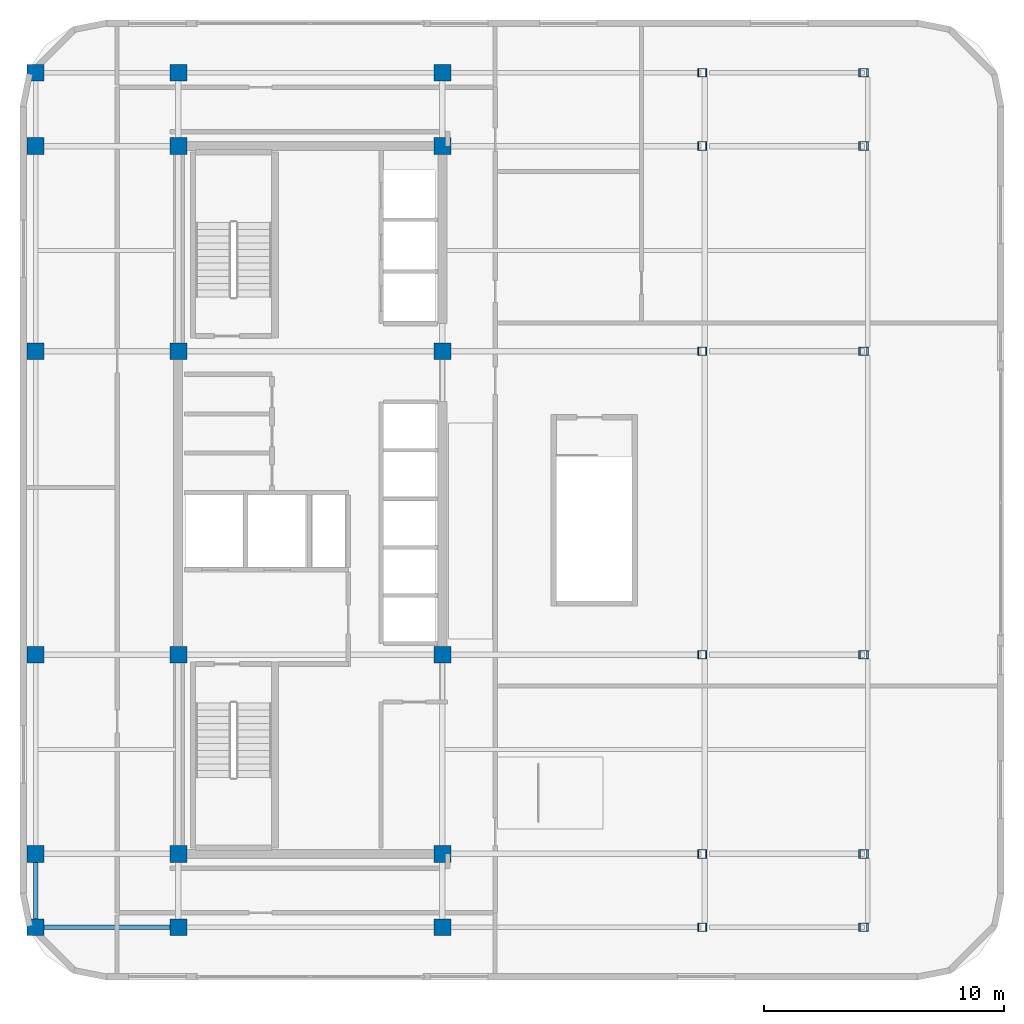
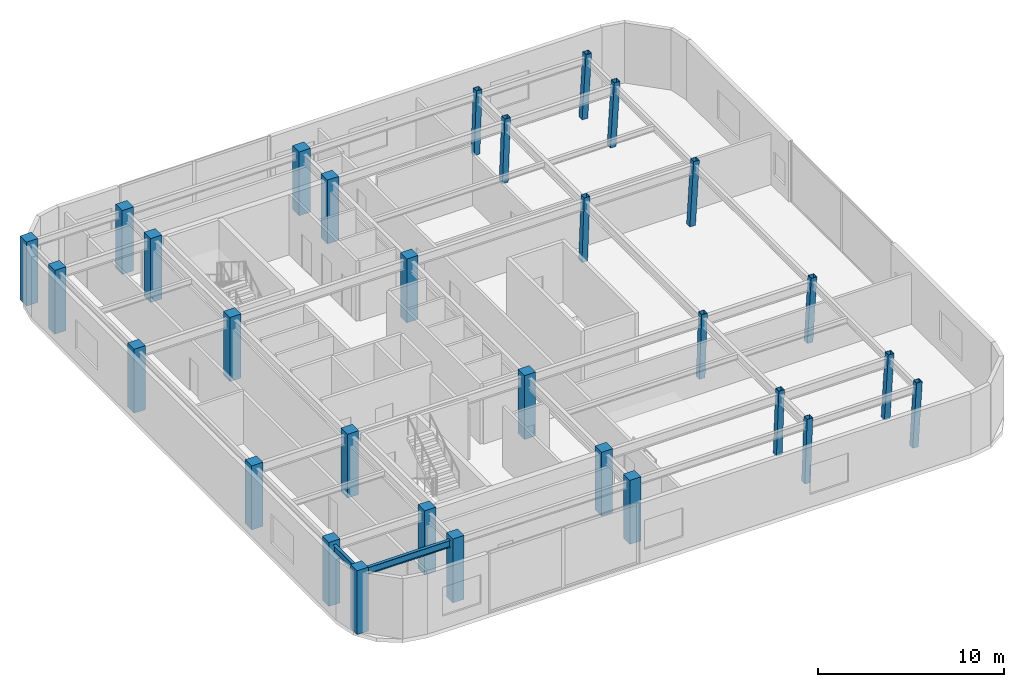
# One storey, part 1 of 10: 30 columns, 2 beams.
"""IFC4 building model written with IfcOpenShell, lengths in metres."""

from ifc_helpers import new_model, si_unit, direction, frame, origin, origin_2d, place, context, subcontext, project, spatial, rectangle, hollow_rectangle, i_section, extrude, material, material_profile, profile_set, type_object, element, save


model = new_model("IFC4")

# Units and contexts
model_context = context("Model", 3, precision=1e-05, world=origin(), true_north=direction((0.0, 1.0)))
body_context = subcontext(model_context, "Body", "Model", "MODEL_VIEW")
ifc_project = project(units=[si_unit("LENGTHUNIT", "METRE"), si_unit("AREAUNIT", "SQUARE_METRE"), si_unit("VOLUMEUNIT", "CUBIC_METRE"), si_unit("PLANEANGLEUNIT", "RADIAN"), si_unit("MASSUNIT", "GRAM", prefix="KILO")], contexts=[model_context])

# Site, building, storey
site_placement = place(None, origin())
site = spatial("IfcSite", under=ifc_project, at=site_placement, CompositionType="ELEMENT")
building_placement = place(site_placement, origin())
building = spatial("IfcBuilding", under=site, at=building_placement, Name="Ochreholt Gables", CompositionType="ELEMENT")
storey_placement = place(building_placement, frame((0.0, 0.0, 173.39990234375)))
storey = spatial("IfcBuildingStorey", under=building, at=storey_placement, Name="L45", CompositionType="ELEMENT", Elevation=173.39990234375)

# Columns
ifc_material_1 = material(Name="Steel CSA G40.21 350W", Category="steel")
ifc_material_profile_1 = material_profile(ifc_material_1, hollow_rectangle(XDim=0.35595703125, YDim=0.35595703125, WallThickness=0.01611328125, at=origin_2d()), Name="HSS356X356X16")
ifc_profile_set_1 = profile_set([ifc_material_profile_1], Name="Steel CSA G40.21 350W")
column_type_1 = type_object("IfcColumnType", Name="COL-HSS356-RAK", PredefinedType="COLUMN", material=ifc_profile_set_1)
for number, where, z_axis, x_axis, name in (
    (1, (46.0048828125, 9.25, 0.0), (0.035028478706, 0.0, 0.999386314535), (0.0, 1.0, 0.0), "L45 Column EMY2"),
    (2, (46.0048828125, 17.550048828125, 0.0), (0.035028478706, 0.0, 0.999386314535), (0.0, 1.0, 0.0), "L45 Column EMY3"),
    (3, (46.0048828125, 30.199951171875, 0.0), (0.035028478706, 0.0, 0.999386314535), (0.0, 1.0, 0.0), "L45 Column EMY4"),
    (4, (46.0048828125, 38.75, 0.0), (0.035028478706, 0.0, 0.999386314535), (0.0, 1.0, 0.0), "L45 Column EMY5"),
):
    element("IfcColumn", number, at=place(storey_placement, frame(where, z_axis=z_axis, x_axis=x_axis)), inside=storey, type_object=column_type_1, Name=name, PredefinedType="COLUMN", context=body_context, shape_type="SweptSolid", body=[
        extrude(hollow_rectangle(XDim=0.35595703125, YDim=0.35595703125, WallThickness=0.01611328125, at=origin_2d()), origin(), (0.0, 0.0, 1.0), 4.202880859375),
    ])
ifc_material_profile_2 = material_profile(ifc_material_1, hollow_rectangle(XDim=0.35595703125, YDim=0.35595703125, WallThickness=0.01611328125, at=origin_2d()), Name="HSS356X356X16")
ifc_profile_set_2 = profile_set([ifc_material_profile_2], Name="Steel CSA G40.21 350W")
column_type_2 = type_object("IfcColumnType", Name="COL-HSS356-RAKE", PredefinedType="COLUMN", material=ifc_profile_set_2)
for number, where, z_axis, x_axis, name in (
    (5, (46.0048828125, 6.199951171875, 0.0), (0.035028478706, 0.0, 0.999386314535), (0.0, 1.0, 0.0), "L45 Column EMY1"),
    (6, (46.0048828125, 41.800048828125, 0.0), (0.035028478706, 0.0, 0.999386314535), (0.0, 1.0, 0.0), "L45 Column EMY6"),
):
    element("IfcColumn", number, at=place(storey_placement, frame(where, z_axis=z_axis, x_axis=x_axis)), inside=storey, type_object=column_type_2, Name=name, PredefinedType="COLUMN", context=body_context, shape_type="SweptSolid", body=[
        extrude(hollow_rectangle(XDim=0.35595703125, YDim=0.35595703125, WallThickness=0.01611328125, at=origin_2d()), origin(), (0.0, 0.0, 1.0), 4.202880859375),
    ])
for number, where, z_axis, x_axis, name in (
    (7, (52.714111328125, 6.199951171875, 0.0), (0.057854571404, 0.0, 0.998325021507), (0.0, 1.0, 0.0), "L45 Column EEY1"),
    (8, (52.714111328125, 9.25, 0.0), (0.057854571404, 0.0, 0.998325021507), (0.0, 1.0, 0.0), "L45 Column EEY2"),
    (9, (52.714111328125, 17.550048828125, 0.0), (0.057854571404, 0.0, 0.998325021507), (0.0, 1.0, 0.0), "L45 Column EEY3"),
    (10, (52.714111328125, 30.199951171875, 0.0), (0.057854571404, 0.0, 0.998325021507), (0.0, 1.0, 0.0), "L45 Column EEY4"),
    (11, (52.714111328125, 38.75, 0.0), (0.057854571404, 0.0, 0.998325021507), (0.0, 1.0, 0.0), "L45 Column EEY5"),
    (12, (52.714111328125, 41.800048828125, 0.0), (0.057854571404, 0.0, 0.998325021507), (0.0, 1.0, 0.0), "L45 Column EEY6"),
):
    element("IfcColumn", number, at=place(storey_placement, frame(where, z_axis=z_axis, x_axis=x_axis)), inside=storey, type_object=column_type_2, Name=name, PredefinedType="COLUMN", context=body_context, shape_type="SweptSolid", body=[
        extrude(hollow_rectangle(XDim=0.35595703125, YDim=0.35595703125, WallThickness=0.01611328125, at=origin_2d()), origin(), (0.0, 0.0, 1.0), 4.207275390625),
    ])
ifc_material_2 = material(Name="Concrete 50 MPa", Category="concrete")
ifc_material_profile_3 = material_profile(ifc_material_2, rectangle(XDim=0.699951171875, YDim=0.699951171875, at=origin_2d()), Name="RC700X700")
ifc_profile_set_3 = profile_set([ifc_material_profile_3], Name="Concrete 50 MPa")
column_type_3 = type_object("IfcColumnType", Name="COL-RC700-EXT", PredefinedType="COLUMN", material=ifc_profile_set_3)
for number, where, z_axis, x_axis, name in (
    (13, (18.25, 6.199951171875, 0.0), (0.0, 0.0, 1.0), (1.0, 0.0, 0.0), "L45 Column W3Y1"),
    (14, (18.25, 9.25, 0.0), (0.0, 0.0, 1.0), (1.0, 0.0, 0.0), "L45 Column W3Y2"),
    (15, (18.25, 17.550048828125, 0.0), (0.0, 0.0, 1.0), (1.0, 0.0, 0.0), "L45 Column W3Y3"),
    (16, (18.25, 30.199951171875, 0.0), (0.0, 0.0, 1.0), (1.0, 0.0, 0.0), "L45 Column W3Y4"),
    (17, (18.25, 38.75, 0.0), (0.0, 0.0, 1.0), (1.0, 0.0, 0.0), "L45 Column W3Y5"),
    (18, (18.25, 41.800048828125, 0.0), (0.0, 0.0, 1.0), (1.0, 0.0, 0.0), "L45 Column W3Y6"),
    (19, (24.199951171875, 6.199951171875, 0.0), (0.0, 0.0, 1.0), (1.0, 0.0, 0.0), "L45 Column C1Y1"),
    (20, (24.199951171875, 41.800048828125, 0.0), (0.0, 0.0, 1.0), (1.0, 0.0, 0.0), "L45 Column C1Y6"),
    (21, (35.199951171875, 6.199951171875, 0.0), (0.0, 0.0, 1.0), (1.0, 0.0, 0.0), "L45 Column C2Y1"),
    (22, (35.199951171875, 41.800048828125, 0.0), (0.0, 0.0, 1.0), (1.0, 0.0, 0.0), "L45 Column C2Y6"),
):
    element("IfcColumn", number, at=place(storey_placement, frame(where, z_axis=z_axis, x_axis=x_axis)), inside=storey, type_object=column_type_3, Name=name, PredefinedType="COLUMN", context=body_context, shape_type="SweptSolid", body=[
        extrude(rectangle(XDim=0.699951171875, YDim=0.699951171875, at=origin_2d()), origin(), (0.0, 0.0, 1.0), 4.2001953125),
    ])
ifc_material_profile_4 = material_profile(ifc_material_2, rectangle(XDim=0.699951171875, YDim=0.699951171875, at=origin_2d()), Name="RC700X700")
ifc_profile_set_4 = profile_set([ifc_material_profile_4], Name="Concrete 50 MPa")
column_type_4 = type_object("IfcColumnType", Name="COL-RC700-INT", PredefinedType="COLUMN", material=ifc_profile_set_4)
for number, where, z_axis, x_axis, name in (
    (23, (24.199951171875, 9.25, 0.0), (0.0, 0.0, 1.0), (1.0, 0.0, 0.0), "L45 Column C1Y2"),
    (24, (24.199951171875, 17.550048828125, 0.0), (0.0, 0.0, 1.0), (1.0, 0.0, 0.0), "L45 Column C1Y3"),
    (25, (24.199951171875, 30.199951171875, 0.0), (0.0, 0.0, 1.0), (1.0, 0.0, 0.0), "L45 Column C1Y4"),
    (26, (24.199951171875, 38.75, 0.0), (0.0, 0.0, 1.0), (1.0, 0.0, 0.0), "L45 Column C1Y5"),
    (27, (35.199951171875, 9.25, 0.0), (0.0, 0.0, 1.0), (1.0, 0.0, 0.0), "L45 Column C2Y2"),
    (28, (35.199951171875, 17.550048828125, 0.0), (0.0, 0.0, 1.0), (1.0, 0.0, 0.0), "L45 Column C2Y3"),
    (29, (35.199951171875, 30.199951171875, 0.0), (0.0, 0.0, 1.0), (1.0, 0.0, 0.0), "L45 Column C2Y4"),
    (30, (35.199951171875, 38.75, 0.0), (0.0, 0.0, 1.0), (1.0, 0.0, 0.0), "L45 Column C2Y5"),
):
    element("IfcColumn", number, at=place(storey_placement, frame(where, z_axis=z_axis, x_axis=x_axis)), inside=storey, type_object=column_type_4, Name=name, PredefinedType="COLUMN", context=body_context, shape_type="SweptSolid", body=[
        extrude(rectangle(XDim=0.699951171875, YDim=0.699951171875, at=origin_2d()), origin(), (0.0, 0.0, 1.0), 4.2001953125),
    ])

# Beams
ifc_material_profile_5 = material_profile(ifc_material_1, i_section(OverallWidth=0.19189453125, OverallDepth=0.462890625, WebThickness=0.010498046875, FlangeThickness=0.017578125, at=origin_2d()), Name="W460X89")
ifc_profile_set_5 = profile_set([ifc_material_profile_5], Name="Steel CSA G40.21 350W")
beam_type = type_object("IfcBeamType", Name="BM-SP-W460A", PredefinedType="SPANDREL", material=ifc_profile_set_5)
beam_1_placement = place(storey_placement, frame((18.599609375, 6.199951171875, 3.728515625), z_axis=(1.0, 0.0, 0.0), x_axis=(0.0, 1.0, 0.0)))
element("IfcBeam", 31, at=beam_1_placement, inside=storey, type_object=beam_type, Name="L45 Beam TBG-L45-W3C1-Y1", PredefinedType="SPANDREL", context=body_context, shape_type="SweptSolid", body=[
    extrude(i_section(OverallWidth=0.19189453125, OverallDepth=0.462890625, WebThickness=0.010498046875, FlangeThickness=0.017578125, at=origin_2d()), origin(), (0.0, 0.0, 1.0), 5.250732421875),
])
beam_2_placement = place(storey_placement, frame((18.25, 6.549560546875, 3.728515625), z_axis=(0.0, 1.0, 0.0), x_axis=(-1.0, 0.0, 0.0)))
element("IfcBeam", 32, at=beam_2_placement, inside=storey, type_object=beam_type, Name="L45 Beam TBN-L45-W3-Y1Y2", PredefinedType="SPANDREL", context=body_context, shape_type="SweptSolid", body=[
    extrude(i_section(OverallWidth=0.19189453125, OverallDepth=0.462890625, WebThickness=0.010498046875, FlangeThickness=0.017578125, at=origin_2d()), origin(), (0.0, 0.0, 1.0), 2.350830078125),
])

save(model, "model.ifc")
